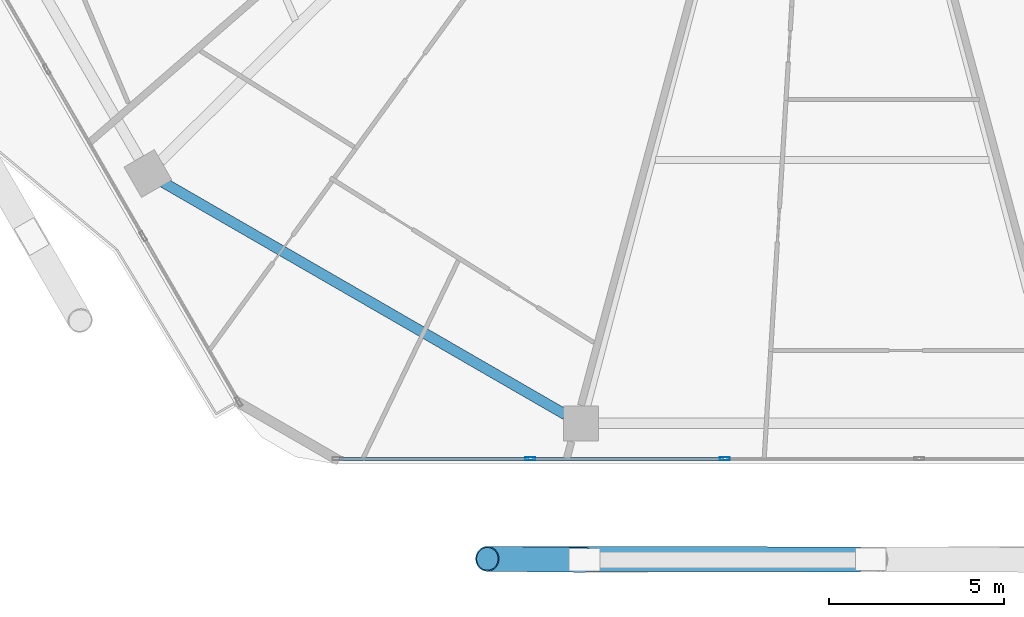
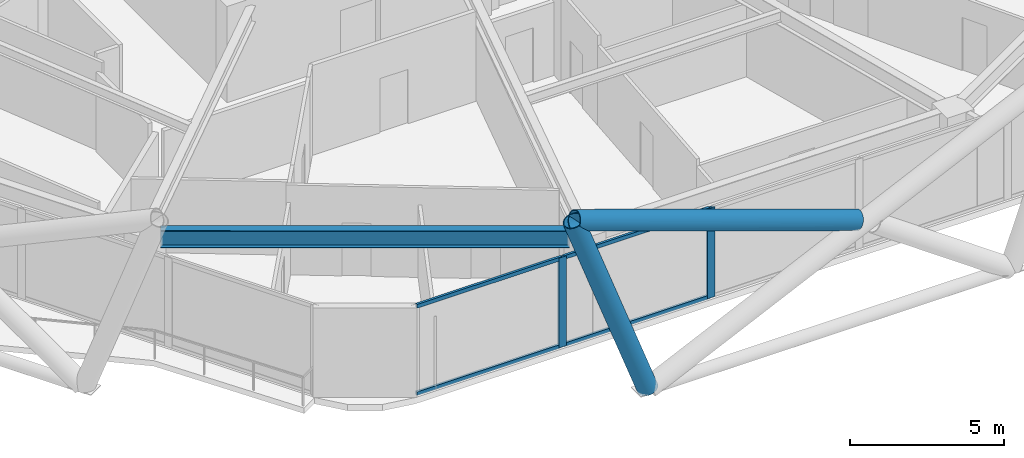
# One storey, part 3 of 28: 8 members, 1 beam, 1 element without a shape of its own.
"""IFC4 building model written with IfcOpenShell, lengths in metres."""

import ifcopenshell
import ifcopenshell.guid

model = None  # the IFC model being written
_history = None  # IfcOwnerHistory: only IFC2X3 demands one
_inside = {}  # id of a spatial element -> (the spatial element, [elements in it])
_under = {}  # id of a project, library or spatial element -> (it, [spatial elements below it])
_declared = {}  # id of a project -> (the project, [libraries it declares])
_typed = {}  # id of a type object -> (the type object, [elements of that type])
_made_of = {}  # id of a material, layer set ... -> (it, [elements and type objects made of it])


def new_model(schema):
    """Start an empty IFC model of exactly this schema.

    Asked for "IFC4X3", IfcOpenShell would pick the latest addendum, in which some entities
    have other attributes; the version numbers below select the first issue.
    IFC2X3 requires an IfcOwnerHistory on every rooted entity: one is made here for all.
    """
    global model, _history
    if schema == "IFC4X3":
        model = ifcopenshell.file(schema_version=(4, 3, 0, 0))
    else:
        model = ifcopenshell.file(schema=schema)
    _inside.clear()
    _under.clear()
    _declared.clear()
    _typed.clear()
    _made_of.clear()
    _history = None
    if model.schema == "IFC2X3":
        org = make("IfcOrganization", Name="unknown")
        user = make(
            "IfcPersonAndOrganization",
            ThePerson=make("IfcPerson", FamilyName="unknown"),
            TheOrganization=org,
        )
        app = make(
            "IfcApplication",
            ApplicationDeveloper=org,
            Version="unknown",
            ApplicationFullName="unknown",
            ApplicationIdentifier="unknown",
        )
        _history = make(
            "IfcOwnerHistory",
            OwningUser=user,
            OwningApplication=app,
            ChangeAction="ADDED",
            CreationDate=0,
        )
    return model


def make(cls, **values):
    """One entity of the class cls with the attributes given. An attribute that is None is left unset."""
    return model.create_entity(
        cls, **{name: value for name, value in values.items() if value is not None}
    )


def rooted(cls, **values):
    """An entity with a GlobalId (a new one), such as an element, a storey or a relation."""
    return make(cls, GlobalId=ifcopenshell.guid.new(), OwnerHistory=_history, **values)


def si_unit(unit_type, name, prefix=None):
    """IfcSIUnit, for example si_unit("LENGTHUNIT", "METRE", prefix="MILLI")."""
    return make("IfcSIUnit", UnitType=unit_type, Prefix=prefix, Name=name)


def assignment(units):
    """IfcUnitAssignment: the units of a project."""
    return None if units is None else make("IfcUnitAssignment", Units=units)


def point(xyz):
    """IfcCartesianPoint."""
    return None if xyz is None else make("IfcCartesianPoint", Coordinates=xyz)


def direction(xyz):
    """IfcDirection."""
    return None if xyz is None else make("IfcDirection", DirectionRatios=xyz)


def frame(location, z_axis=None, x_axis=None):
    """IfcAxis2Placement3D, a coordinate frame: its origin and axes. An axis left out is left unset."""
    return make(
        "IfcAxis2Placement3D",
        Location=point(location),
        Axis=direction(z_axis),
        RefDirection=direction(x_axis),
    )


def frame_2d(location, x_axis=None):
    """IfcAxis2Placement2D, a coordinate frame in the plane: its origin and x axis."""
    return make(
        "IfcAxis2Placement2D", Location=point(location), RefDirection=direction(x_axis)
    )


def origin():
    """The frame at (0, 0, 0) with its axes left unset."""
    return frame((0.0, 0.0, 0.0))


def origin_2d():
    """The frame at (0, 0) in the plane with its x axis left unset."""
    return frame_2d((0.0, 0.0))


def place(relative_to, where):
    """IfcLocalPlacement: puts the frame where relative to a parent placement (None: the world)."""
    return make(
        "IfcLocalPlacement", PlacementRelTo=relative_to, RelativePlacement=where
    )


def context(
    kind, dimensions, precision=None, world=None, true_north=None, identifier=None
):
    """IfcGeometricRepresentationContext, for example the 3D "Model" context."""
    return make(
        "IfcGeometricRepresentationContext",
        ContextIdentifier=identifier,
        ContextType=kind,
        CoordinateSpaceDimension=dimensions,
        Precision=precision,
        WorldCoordinateSystem=world,
        TrueNorth=true_north,
    )


def subcontext(parent, identifier, kind, view, scale=None):
    """IfcGeometricRepresentationSubContext, for example "Body" below "Model"."""
    return make(
        "IfcGeometricRepresentationSubContext",
        ContextIdentifier=identifier,
        ContextType=kind,
        ParentContext=parent,
        TargetScale=scale,
        TargetView=view,
    )


def project(units=None, contexts=None):
    """IfcProject with its units and contexts."""
    return rooted(
        "IfcProject",
        Name="project",
        RepresentationContexts=contexts,
        UnitsInContext=assignment(units),
    )


def spatial(cls, under=None, at=None, **own):
    """A site, building, storey or space (cls), placed at a placement, below another one or the project."""
    s = rooted(cls, ObjectPlacement=at, **own)
    if under is not None:
        _under.setdefault(under.id(), (under, []))[1].append(s)
    return s


def profile(cls, at=None, kind="AREA", **sizes):
    """A parametric profile (cls). Its sizes go by their IFC names, for example OverallWidth=200.0."""
    return make(cls, ProfileType=kind, Position=at, **sizes)


def hollow_rectangle(**sizes):
    """IfcRectangleHollowProfileDef."""
    return profile("IfcRectangleHollowProfileDef", **sizes)


def hollow_circle(**sizes):
    """IfcCircleHollowProfileDef."""
    return profile("IfcCircleHollowProfileDef", **sizes)


def i_section(**sizes):
    """IfcIShapeProfileDef."""
    return profile("IfcIShapeProfileDef", **sizes)


def extrude(swept, where, along, depth):
    """IfcExtrudedAreaSolid: the profile swept, set in the frame where, extruded along a direction by depth."""
    return make(
        "IfcExtrudedAreaSolid",
        SweptArea=swept,
        Position=where,
        ExtrudedDirection=direction(along),
        Depth=depth,
    )


def shape(context_of_items, identifier, shape_type, items):
    """IfcShapeRepresentation: the items that make up one representation, for example the "Body"."""
    return make(
        "IfcShapeRepresentation",
        ContextOfItems=context_of_items,
        RepresentationIdentifier=identifier,
        RepresentationType=shape_type,
        Items=items,
    )


def material(Name=None, Category=None):
    """IfcMaterial."""
    return make("IfcMaterial", Name=Name, Category=Category)


def material_profile(
    of_material, cross_section, Name=None, Category=None, Priority=None
):
    """IfcMaterialProfile: a cross section and its material."""
    return make(
        "IfcMaterialProfile",
        Name=Name,
        Material=of_material,
        Profile=cross_section,
        Priority=Priority,
        Category=Category,
    )


def profile_set(profiles, Name=None, composite=None):
    """IfcMaterialProfileSet."""
    return make(
        "IfcMaterialProfileSet",
        Name=Name,
        MaterialProfiles=profiles,
        CompositeProfile=composite,
    )


def made_of(thing, what):
    """Note that an element or type object is made of a material, layer set ...; save() writes the relation."""
    if what is not None:
        _made_of.setdefault(what.id(), (what, []))[1].append(thing)
    return thing


def type_object(cls, material=None, **own):
    """A type object (cls), such as IfcWallType, which elements share."""
    return made_of(rooted(cls, **own), material)


def element(
    cls,
    number,
    at=None,
    inside=None,
    cuts=None,
    type_object=None,
    material=None,
    context=None,
    identifier="Body",
    shape_type=None,
    held_by="IfcProductDefinitionShape",
    body=None,
    shapes=None,
    **own,
):
    """One element of the class cls, such as IfcWall. Its Tag is "e" and its number.

    at: its placement. inside: the storey or other place that contains it. cuts: it is an
    opening in that element (IfcRelVoidsElement). A single representation is given by context,
    identifier, shape_type and body (its items); several are given by shapes. held_by: the class
    of the entity that holds the representations. save() writes the other relations.
    """
    e = rooted(cls, Tag="e%d" % number, ObjectPlacement=at, **own)
    if body is not None:
        shapes = [shape(context, identifier, shape_type, body)]
    if shapes is not None:
        e.Representation = make(held_by, Representations=shapes)
    if inside is not None:
        _inside.setdefault(inside.id(), (inside, []))[1].append(e)
    if cuts is not None:
        rooted(
            "IfcRelVoidsElement", RelatingBuildingElement=cuts, RelatedOpeningElement=e
        )
    if type_object is not None:
        _typed.setdefault(type_object.id(), (type_object, []))[1].append(e)
    return made_of(e, material)


def aggregate(whole, parts):
    """IfcRelAggregates: a whole, such as a stair, and the parts it consists of."""
    return rooted("IfcRelAggregates", RelatingObject=whole, RelatedObjects=parts)


def save(model, path):
    """Write the relations noted so far, then the file.

    IfcRelAggregates (storeys below a building ...), IfcRelContainedInSpatialStructure (elements
    in a storey), IfcRelDefinesByType, IfcRelAssociatesMaterial and IfcRelDeclares: one each for
    every whole, place, type object, material and project.
    """
    for whole, parts in _under.values():
        aggregate(whole, parts)
    for where, things in _inside.values():
        rooted(
            "IfcRelContainedInSpatialStructure",
            RelatedElements=things,
            RelatingStructure=where,
        )
    for kind, things in _typed.values():
        rooted("IfcRelDefinesByType", RelatedObjects=things, RelatingType=kind)
    for what, things in _made_of.values():
        rooted("IfcRelAssociatesMaterial", RelatedObjects=things, RelatingMaterial=what)
    for by, libraries in _declared.values():
        rooted("IfcRelDeclares", RelatingContext=by, RelatedDefinitions=libraries)
    model.write(path)


model = new_model("IFC4")

# Units and contexts
model_context = context("Model", 3, precision=1e-05, world=origin(), true_north=direction((0.0, 1.0)))
body_context = subcontext(model_context, "Body", "Model", "MODEL_VIEW")
ifc_project = project(units=[si_unit("LENGTHUNIT", "METRE"), si_unit("AREAUNIT", "SQUARE_METRE"), si_unit("VOLUMEUNIT", "CUBIC_METRE"), si_unit("PLANEANGLEUNIT", "RADIAN"), si_unit("MASSUNIT", "GRAM", prefix="KILO")], contexts=[model_context])

# Site, building, storey
site_placement = place(None, origin())
site = spatial("IfcSite", under=ifc_project, at=site_placement, CompositionType="ELEMENT")
building_placement = place(site_placement, origin())
building = spatial("IfcBuilding", under=site, at=building_placement, Name="Zuhravey Tower", CompositionType="ELEMENT")
storey_placement = place(building_placement, frame((0.0, 0.0, 169.39990234375)))
storey = spatial("IfcBuildingStorey", under=building, at=storey_placement, Name="L42", CompositionType="ELEMENT", Elevation=169.39990234375)

# Curtain wall, members
ifc_material_1 = material(Name="Thermally broken anodised aluminium", Category="aluminium")
curtain_wall_type = type_object("IfcCurtainWallType", Name="Zone 1-2 Residential Curtain Wall CW3", PredefinedType="NOTDEFINED", material=ifc_material_1)
curtain_wall_placement = place(storey_placement, origin())
curtain_wall = element("IfcCurtainWall", 1, at=curtain_wall_placement, inside=storey, type_object=curtain_wall_type, Name="L42 CW3 CW-L42-F5-1", PredefinedType="NOTDEFINED")
ifc_material_2 = material(Name="Anodised aluminium", Category="aluminium")
ifc_material_profile_1 = material_profile(ifc_material_2, hollow_rectangle(XDim=0.090087890625, YDim=0.284912109375, WallThickness=0.0048828125, at=origin_2d()), Name="ALU-RHS-90x285x5")
ifc_profile_set_1 = profile_set([ifc_material_profile_1], Name="Anodised aluminium")
member_type_1 = type_object("IfcMemberType", Name="Curtain-Wall Mullion 90x180", PredefinedType="MULLION", material=ifc_profile_set_1)
member_1_placement = place(storey_placement, frame((33.227783203125, 4.81689453125, 0.0), z_axis=(0.0, 0.0, 1.0), x_axis=(0.0, -1.0, 0.0)))
member_1 = element("IfcMember", 2, at=member_1_placement, type_object=member_type_1, Name="CW3 mullion 4", PredefinedType="MULLION", context=body_context, shape_type="SweptSolid", body=[
    extrude(hollow_rectangle(XDim=0.090087890625, YDim=0.284912109375, WallThickness=0.0048828125, at=origin_2d()), origin(), (0.0, 0.0, 1.0), 3.550048828125),
])
member_2_placement = place(storey_placement, frame((27.683349609375, 4.81689453125, 0.0), z_axis=(0.0, 0.0, 1.0), x_axis=(0.0, -1.0, 0.0)))
member_2 = element("IfcMember", 3, at=member_2_placement, type_object=member_type_1, Name="CW3 mullion 5", PredefinedType="MULLION", context=body_context, shape_type="SweptSolid", body=[
    extrude(hollow_rectangle(XDim=0.090087890625, YDim=0.284912109375, WallThickness=0.0048828125, at=origin_2d()), origin(), (0.0, 0.0, 1.0), 3.550048828125),
])
ifc_material_profile_2 = material_profile(ifc_material_2, hollow_rectangle(XDim=0.090087890625, YDim=0.14990234375, WallThickness=0.0048828125, at=origin_2d()), Name="ALU-RHS-90x150x5")
ifc_profile_set_2 = profile_set([ifc_material_profile_2], Name="Anodised aluminium")
member_type_2 = type_object("IfcMemberType", Name="Curtain-Wall Transom 90x150", PredefinedType="USERDEFINED", material=ifc_profile_set_2)
member_3_placement = place(storey_placement, frame((33.182861328125, 4.81689453125, 0.045166015625), z_axis=(-1.0, 0.0, 0.0), x_axis=(0.0, -1.0, 0.0)))
member_3 = element("IfcMember", 4, at=member_3_placement, type_object=member_type_2, Name="CW3 transom 4.1", ObjectType="TRANSOM", PredefinedType="USERDEFINED", context=body_context, shape_type="SweptSolid", body=[
    extrude(hollow_rectangle(XDim=0.090087890625, YDim=0.14990234375, WallThickness=0.0048828125, at=origin_2d()), origin(), (0.0, 0.0, 1.0), 5.45458984375),
])
member_4_placement = place(storey_placement, frame((33.182861328125, 4.81689453125, 3.505126953125), z_axis=(-1.0, 0.0, 0.0), x_axis=(0.0, -1.0, 0.0)))
member_4 = element("IfcMember", 5, at=member_4_placement, type_object=member_type_2, Name="CW3 transom 4.2", ObjectType="TRANSOM", PredefinedType="USERDEFINED", context=body_context, shape_type="SweptSolid", body=[
    extrude(hollow_rectangle(XDim=0.090087890625, YDim=0.14990234375, WallThickness=0.0048828125, at=origin_2d()), origin(), (0.0, 0.0, 1.0), 5.45458984375),
])
member_5_placement = place(storey_placement, frame((27.638427734375, 4.81689453125, 0.045166015625), z_axis=(-1.0, 0.0, 0.0), x_axis=(0.0, -1.0, 0.0)))
member_5 = element("IfcMember", 6, at=member_5_placement, type_object=member_type_2, Name="CW3 transom 5.1", ObjectType="TRANSOM", PredefinedType="USERDEFINED", context=body_context, shape_type="SweptSolid", body=[
    extrude(hollow_rectangle(XDim=0.090087890625, YDim=0.14990234375, WallThickness=0.0048828125, at=origin_2d()), origin(), (0.0, 0.0, 1.0), 5.409423828125),
])
member_6_placement = place(storey_placement, frame((27.638427734375, 4.81689453125, 3.505126953125), z_axis=(-1.0, 0.0, 0.0), x_axis=(0.0, -1.0, 0.0)))
member_6 = element("IfcMember", 7, at=member_6_placement, type_object=member_type_2, Name="CW3 transom 5.2", ObjectType="TRANSOM", PredefinedType="USERDEFINED", context=body_context, shape_type="SweptSolid", body=[
    extrude(hollow_rectangle(XDim=0.090087890625, YDim=0.14990234375, WallThickness=0.0048828125, at=origin_2d()), origin(), (0.0, 0.0, 1.0), 5.409423828125),
])
aggregate(curtain_wall, [member_1, member_2, member_3, member_4, member_5, member_6])

# Members
ifc_material_3 = material(Name="Steel SM460", Category="steel")
ifc_material_profile_3 = material_profile(ifc_material_3, hollow_circle(Radius=0.355712890625, WallThickness=0.031982421875, at=origin_2d()), Name="CHS-711.2x32")
ifc_profile_set_3 = profile_set([ifc_material_profile_3], Name="Steel SM460")
member_type_3 = type_object("IfcMemberType", Name="Exoskeleton Zone 2 Diagrid CHS711x32", PredefinedType="BRACE", material=ifc_profile_set_3)
member_7_placement = place(storey_placement, frame((29.211669921875, 1.93701171875, -0.44384765625), z_axis=(-0.342856044852, 0.003700976595, 0.939380665801), x_axis=(-0.010793920789, -0.99994174394, 0.0)))
element("IfcMember", 8, at=member_7_placement, inside=storey, type_object=member_type_3, Name="L42 Face 5 Diagrid Brace 1", PredefinedType="BRACE", context=body_context, shape_type="SweptSolid", body=[
    extrude(hollow_circle(Radius=0.355712890625, WallThickness=0.031982421875, at=origin_2d()), origin(), (0.0, 0.0, 1.0), 8.0478515625),
])
member_8_placement = place(storey_placement, frame((37.060546875, 1.952392578125, 3.449462890625), z_axis=(-0.944652786262, 0.001287230689, 0.328069286042), x_axis=(-0.00136264828, -0.999999071594, 0.0)))
element("IfcMember", 9, at=member_8_placement, inside=storey, type_object=member_type_3, Name="L42 Face 5 Split Diagrid Brace 3B", PredefinedType="BRACE", context=body_context, shape_type="SweptSolid", body=[
    extrude(hollow_circle(Radius=0.355712890625, WallThickness=0.031982421875, at=origin_2d()), origin(), (0.0, 0.0, 1.0), 11.190185546875),
])

# Beam
ifc_material_4 = material(Name="Steel SM355", Category="steel")
ifc_material_profile_4 = material_profile(ifc_material_4, i_section(OverallWidth=0.300048828125, OverallDepth=0.679931640625, WebThickness=0.012939453125, FlangeThickness=0.02197265625, at=origin_2d()), Name="H-680x300x13x22")
ifc_profile_set_4 = profile_set([ifc_material_profile_4], Name="Steel SM355")
beam_type = type_object("IfcBeamType", Name="Perimeter Ring Beam H680x300", PredefinedType="BEAM", material=ifc_profile_set_4)
beam_placement = place(storey_placement, frame((17.210205078125, 12.701904296875, 3.210205078125), z_axis=(0.866022923061, -0.500004296715, 0.0), x_axis=(0.500004296715, 0.866022923061, 0.0)))
element("IfcBeam", 10, at=beam_placement, inside=storey, type_object=beam_type, Name="L42 PB2 BM-L42-PB-08", PredefinedType="BEAM", context=body_context, shape_type="SweptSolid", body=[
    extrude(i_section(OverallWidth=0.300048828125, OverallDepth=0.679931640625, WebThickness=0.012939453125, FlangeThickness=0.02197265625, at=origin_2d()), origin(), (0.0, 0.0, 1.0), 13.2470703125),
])

save(model, "model.ifc")
